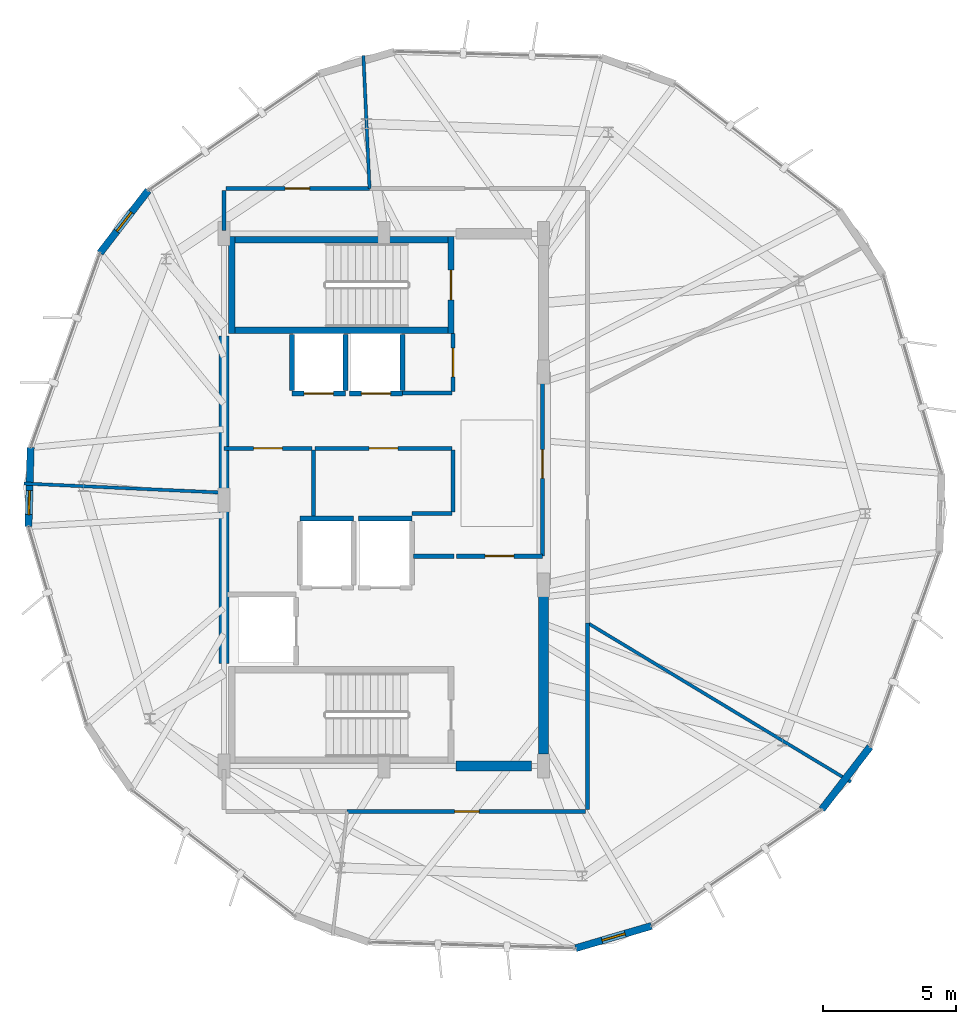
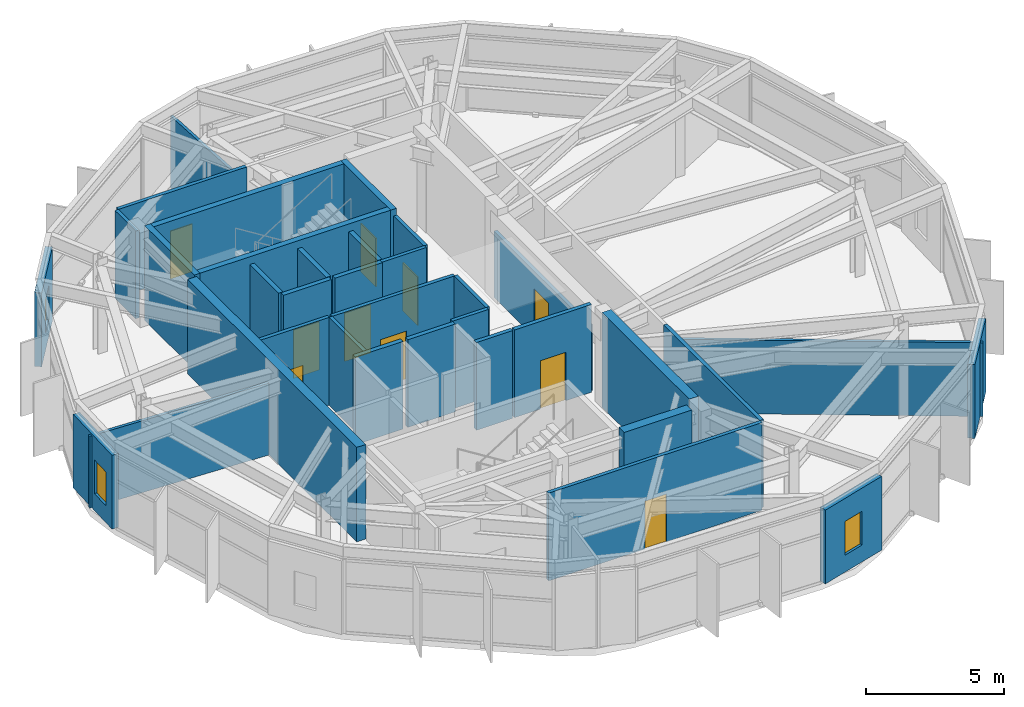
# One storey, part 16 of 20: 35 walls, 10 doors, 3 windows, 13 openings.
"""IFC4 building model written with IfcOpenShell, lengths in metres."""

from ifc_helpers import new_model, si_unit, direction, frame, frame_2d, origin, place, context, subcontext, project, spatial, rectangle, extrude, material, layer, layer_set, type_object, element, fill, save


model = new_model("IFC4")

# Units and contexts
model_context = context("Model", 3, precision=1e-05, world=origin(), true_north=direction((0.0, 1.0)))
body_context = subcontext(model_context, "Body", "Model", "MODEL_VIEW")
ifc_project = project(units=[si_unit("LENGTHUNIT", "METRE"), si_unit("AREAUNIT", "SQUARE_METRE"), si_unit("VOLUMEUNIT", "CUBIC_METRE"), si_unit("PLANEANGLEUNIT", "RADIAN"), si_unit("MASSUNIT", "GRAM", prefix="KILO")], contexts=[model_context])

# Site, building, storey
site_placement = place(None, origin())
site = spatial("IfcSite", under=ifc_project, at=site_placement, CompositionType="ELEMENT")
building_placement = place(site_placement, origin())
building = spatial("IfcBuilding", under=site, at=building_placement, Name="Soratama Intermodal Tower", CompositionType="ELEMENT")
storey_placement = place(building_placement, frame((0.0, 0.0, 293.050048828125)))
storey = spatial("IfcBuildingStorey", under=building, at=storey_placement, Name="L74", CompositionType="ELEMENT", Elevation=293.050048828125)

# Wall, opening, window
ifc_material_1 = material(Name="Concrete f'c 42 MPa", Category="concrete")
ifc_layer_1 = layer(ifc_material_1, 0.27001953125)
ifc_layer_set_1 = layer_set([ifc_layer_1], Name="Concrete f'c 42 MPa")
wall_type_1 = type_object("IfcWallType", Name="EW-CRN-270", PredefinedType="SOLIDWALL", material=ifc_layer_set_1)
wall_1_placement = place(storey_placement, frame((29.74658203125, 36.6240234375, 0.0), z_axis=(0.0, 0.0, 1.0), x_axis=(-0.61043041825, -0.792069886105, 0.0)))
wall_1 = element("IfcWall", 1, at=wall_1_placement, inside=storey, type_object=wall_type_1, Name="L74 Corner Closure Wall 02", PredefinedType="SOLIDWALL", context=body_context, shape_type="SweptSolid", body=[
    extrude(rectangle(XDim=2.96630859375, YDim=0.27001953125, at=frame_2d((1.483154296875, 0.0))), origin(), (0.0, 0.0, 1.0), 3.27392578125),
])
opening_1_placement = place(wall_1_placement, frame((1.033203125, 0.0, 0.75)))
opening_1 = element("IfcOpeningElement", 2, at=opening_1_placement, cuts=wall_1, Name="Opening WN-6", PredefinedType="OPENING", context=body_context, shape_type="SweptSolid", body=[
    extrude(rectangle(XDim=0.89990234375, YDim=1.5, at=frame_2d((0.449951171875, 0.75))), frame((0.0, 0.14501953125, 0.0), z_axis=(0.0, -1.0, 0.0), x_axis=(1.0, 0.0, 0.0)), (0.0, 0.0, 1.0), 0.2900390625),
])
ifc_material_2 = material(Name="Double-glazed aluminium window", Category="aluminium")
window_type = type_object("IfcWindowType", Name="WN-FAC-900", PartitioningType="SINGLE_PANEL", PredefinedType="WINDOW", material=ifc_material_2)
window_1_placement = place(opening_1_placement, origin())
window_1 = element("IfcWindow", 3, at=window_1_placement, inside=storey, type_object=window_type, Name="L74 Corner Window 02", OverallHeight=1.5, OverallWidth=0.89990234375, PartitioningType="SINGLE_PANEL", PredefinedType="WINDOW", context=body_context, shape_type="SweptSolid", body=[
    extrude(rectangle(XDim=0.89990234375, YDim=1.5, at=frame_2d((0.449951171875, 0.75))), frame((0.0, 0.030029296875, 0.0), z_axis=(0.0, -1.0, 0.0), x_axis=(1.0, 0.0, 0.0)), (0.0, 0.0, 1.0), 0.06005859375),
])
fill(opening_1, window_1)

wall_2_placement = place(storey_placement, frame((25.330810546875, 26.966552734375, 0.0), z_axis=(0.0, 0.0, 1.0), x_axis=(-0.028310729032, -0.999599170979, 0.0)))
wall_2 = element("IfcWall", 4, at=wall_2_placement, inside=storey, type_object=wall_type_1, Name="L74 Corner Closure Wall 03", PredefinedType="SOLIDWALL", context=body_context, shape_type="SweptSolid", body=[
    extrude(rectangle(XDim=2.966552734375, YDim=0.27001953125, at=frame_2d((1.4833984375, 0.0))), origin(), (0.0, 0.0, 1.0), 3.27392578125),
])
opening_2_placement = place(wall_2_placement, frame((1.61669921875, 0.0, 0.75)))
opening_2 = element("IfcOpeningElement", 5, at=opening_2_placement, cuts=wall_2, Name="Opening WN-6", PredefinedType="OPENING", context=body_context, shape_type="SweptSolid", body=[
    extrude(rectangle(XDim=0.89990234375, YDim=1.5, at=frame_2d((0.449951171875, 0.75))), frame((0.0, 0.14501953125, 0.0), z_axis=(0.0, -1.0, 0.0), x_axis=(1.0, 0.0, 0.0)), (0.0, 0.0, 1.0), 0.2900390625),
])
window_2_placement = place(opening_2_placement, origin())
window_2 = element("IfcWindow", 6, at=window_2_placement, inside=storey, type_object=window_type, Name="L74 Corner Window 03", OverallHeight=1.5, OverallWidth=0.89990234375, PartitioningType="SINGLE_PANEL", PredefinedType="WINDOW", context=body_context, shape_type="SweptSolid", body=[
    extrude(rectangle(XDim=0.89990234375, YDim=1.5, at=frame_2d((0.449951171875, 0.75))), frame((0.0, 0.030029296875, 0.0), z_axis=(0.0, -1.0, 0.0), x_axis=(1.0, 0.0, 0.0)), (0.0, 0.0, 1.0), 0.06005859375),
])
fill(opening_2, window_2)

wall_3_placement = place(storey_placement, frame((45.80419921875, 8.158447265625, 0.0), z_axis=(0.0, 0.0, 1.0), x_axis=(0.959406115423, 0.282028200168, 0.0)))
wall_3 = element("IfcWall", 7, at=wall_3_placement, inside=storey, type_object=wall_type_1, Name="L74 Corner Closure Wall 06", PredefinedType="SOLIDWALL", context=body_context, shape_type="SweptSolid", body=[
    extrude(rectangle(XDim=2.966552734375, YDim=0.27001953125, at=frame_2d((1.4833984375, 0.0))), origin(), (0.0, 0.0, 1.0), 3.27392578125),
])
opening_3_placement = place(wall_3_placement, frame((1.033203125, 0.0, 0.75)))
opening_3 = element("IfcOpeningElement", 8, at=opening_3_placement, cuts=wall_3, Name="Opening WN-6", PredefinedType="OPENING", context=body_context, shape_type="SweptSolid", body=[
    extrude(rectangle(XDim=0.89990234375, YDim=1.5, at=frame_2d((0.449951171875, 0.75))), frame((0.0, 0.14501953125, 0.0), z_axis=(0.0, -1.0, 0.0), x_axis=(1.0, 0.0, 0.0)), (0.0, 0.0, 1.0), 0.2900390625),
])
window_3_placement = place(opening_3_placement, origin())
window_3 = element("IfcWindow", 9, at=window_3_placement, inside=storey, type_object=window_type, Name="L74 Corner Window 06", OverallHeight=1.5, OverallWidth=0.89990234375, PartitioningType="SINGLE_PANEL", PredefinedType="WINDOW", context=body_context, shape_type="SweptSolid", body=[
    extrude(rectangle(XDim=0.89990234375, YDim=1.5, at=frame_2d((0.449951171875, 0.75))), frame((0.0, 0.030029296875, 0.0), z_axis=(0.0, -1.0, 0.0), x_axis=(1.0, 0.0, 0.0)), (0.0, 0.0, 1.0), 0.06005859375),
])
fill(opening_3, window_3)

# Wall
wall_4_placement = place(storey_placement, frame((55.053466796875, 13.3759765625, 0.0), z_axis=(0.0, 0.0, 1.0), x_axis=(0.61043041825, 0.792069886105, 0.0)))
element("IfcWall", 10, at=wall_4_placement, inside=storey, type_object=wall_type_1, Name="L74 Corner Closure Wall 07", PredefinedType="SOLIDWALL", context=body_context, shape_type="SweptSolid", body=[
    extrude(rectangle(XDim=2.96630859375, YDim=0.27001953125, at=frame_2d((1.483154296875, 0.0))), origin(), (0.0, 0.0, 1.0), 3.27392578125),
])

# Wall, opening, door
ifc_material_3 = material(Name="Fire-rated gypsum stud partition", Category="concrete")
ifc_layer_2 = layer(ifc_material_3, 0.14990234375)
ifc_layer_set_2 = layer_set([ifc_layer_2], Name="Fire-rated gypsum stud partition")
wall_type_2 = type_object("IfcWallType", Name="IW-PART-R150", PredefinedType="PARTITIONING", material=ifc_layer_set_2)
wall_5_placement = place(storey_placement, frame((46.179931640625, 13.300048828125, 0.0), z_axis=(0.0, 0.0, 1.0), x_axis=(-1.0, 0.0, 0.0)))
wall_5 = element("IfcWall", 11, at=wall_5_placement, inside=storey, type_object=wall_type_2, Name="L74 Partition W-L74-TP003", PredefinedType="PARTITIONING", context=body_context, shape_type="SweptSolid", body=[
    extrude(rectangle(XDim=8.958984375, YDim=0.14990234375, at=frame_2d((4.4794921875, 0.0))), origin(), (0.0, 0.0, 1.0), 3.89501953125),
])
opening_4_placement = place(wall_5_placement, frame((4.0048828125, 0.0, 0.0)))
opening_4 = element("IfcOpeningElement", 12, at=opening_4_placement, cuts=wall_5, Name="Opening ID-6", PredefinedType="OPENING", context=body_context, shape_type="SweptSolid", body=[
    extrude(rectangle(XDim=0.919921875, YDim=2.1201171875, at=frame_2d((0.4599609375, 1.06005859375))), frame((0.0, 0.0849609375, 0.0), z_axis=(0.0, -1.0, 0.0), x_axis=(1.0, 0.0, 0.0)), (0.0, 0.0, 1.0), 0.169921875),
])
ifc_material_4 = material(Name="Solid hardwood acoustic door", Category="wood")
door_type_1 = type_object("IfcDoorType", Name="DR-ROOM-920", OperationType="NOTDEFINED", PredefinedType="DOOR", material=ifc_material_4)
door_1_placement = place(opening_4_placement, origin())
door_1 = element("IfcDoor", 13, at=door_1_placement, inside=storey, type_object=door_type_1, Name="L74 Door D-L74-TP001", OperationType="SINGLE_SWING_RIGHT", OverallHeight=2.1201171875, OverallWidth=0.919921875, PredefinedType="DOOR", context=body_context, shape_type="SweptSolid", body=[
    extrude(rectangle(XDim=0.919921875, YDim=2.1201171875, at=frame_2d((0.4599609375, 1.06005859375))), frame((0.0, 0.02490234375, 0.0), z_axis=(0.0, -1.0, 0.0), x_axis=(1.0, 0.0, 0.0)), (0.0, 0.0, 1.0), 0.050048828125),
])
fill(opening_4, door_1)

# Wall
wall_6_placement = place(storey_placement, frame((46.25, 20.37890625, 0.0), z_axis=(0.0, 0.0, 1.0), x_axis=(0.0, -1.0, 0.0)))
element("IfcWall", 14, at=wall_6_placement, inside=storey, type_object=wall_type_2, Name="L74 Partition W-L74-TP008", PredefinedType="PARTITIONING", context=body_context, shape_type="SweptSolid", body=[
    extrude(rectangle(XDim=7.0087890625, YDim=0.14990234375, at=frame_2d((3.50439453125, 0.0))), origin(), (0.0, 0.0, 1.0), 3.89501953125),
])

# Wall, opening, door
wall_7_placement = place(storey_placement, frame((44.56005859375, 29.800048828125, 0.0), z_axis=(0.0, 0.0, 1.0), x_axis=(0.0, -1.0, 0.0)))
wall_7 = element("IfcWall", 15, at=wall_7_placement, inside=storey, type_object=wall_type_2, Name="L74 Partition W-L74-TP009", PredefinedType="PARTITIONING", context=body_context, shape_type="SweptSolid", body=[
    extrude(rectangle(XDim=6.91015625, YDim=0.14990234375, at=frame_2d((3.455078125, 0.0))), origin(), (0.0, 0.0, 1.0), 2.93505859375),
])
opening_5_placement = place(wall_7_placement, frame((2.9150390625, 0.0, 0.0)))
opening_5 = element("IfcOpeningElement", 16, at=opening_5_placement, cuts=wall_7, Name="Opening ID-1", PredefinedType="OPENING", context=body_context, shape_type="SweptSolid", body=[
    extrude(rectangle(XDim=1.080078125, YDim=2.14990234375, at=frame_2d((0.5400390625, 1.074951171875))), frame((0.0, 0.0849609375, 0.0), z_axis=(0.0, -1.0, 0.0), x_axis=(1.0, 0.0, 0.0)), (0.0, 0.0, 1.0), 0.169921875),
])
ifc_material_5 = material(Name="Solid hardwood acoustic door", Category="wood")
door_type_2 = type_object("IfcDoorType", Name="DR-LOB-FD60", OperationType="NOTDEFINED", PredefinedType="DOOR", material=ifc_material_5)
door_2_placement = place(opening_5_placement, origin())
door_2 = element("IfcDoor", 17, at=door_2_placement, inside=storey, type_object=door_type_2, Name="L74 Door D-L74-TP004", OperationType="SINGLE_SWING_LEFT", OverallHeight=2.14990234375, OverallWidth=1.080078125, PredefinedType="DOOR", context=body_context, shape_type="SweptSolid", body=[
    extrude(rectangle(XDim=1.080078125, YDim=2.14990234375, at=frame_2d((0.5400390625, 1.074951171875))), frame((0.0, 0.02490234375, 0.0), z_axis=(0.0, -1.0, 0.0), x_axis=(1.0, 0.0, 0.0)), (0.0, 0.0, 1.0), 0.050048828125),
])
fill(opening_5, door_2)

wall_8_placement = place(storey_placement, frame((32.669921875, 36.699951171875, 0.0), z_axis=(0.0, 0.0, 1.0), x_axis=(1.0, 0.0, 0.0)))
wall_8 = element("IfcWall", 18, at=wall_8_placement, inside=storey, type_object=wall_type_2, Name="L74 Partition W-L74-TP010", PredefinedType="PARTITIONING", context=body_context, shape_type="SweptSolid", body=[
    extrude(rectangle(XDim=5.39013671875, YDim=0.14990234375, at=frame_2d((2.695068359375, 0.0))), origin(), (0.0, 0.0, 1.0), 3.89501953125),
])
opening_6_placement = place(wall_8_placement, frame((2.219970703125, 0.0, 0.0)))
opening_6 = element("IfcOpeningElement", 19, at=opening_6_placement, cuts=wall_8, Name="Opening ID-6", PredefinedType="OPENING", context=body_context, shape_type="SweptSolid", body=[
    extrude(rectangle(XDim=0.919921875, YDim=2.1201171875, at=frame_2d((0.4599609375, 1.06005859375))), frame((0.0, 0.0849609375, 0.0), z_axis=(0.0, -1.0, 0.0), x_axis=(1.0, 0.0, 0.0)), (0.0, 0.0, 1.0), 0.169921875),
])
door_3_placement = place(opening_6_placement, origin())
door_3 = element("IfcDoor", 20, at=door_3_placement, inside=storey, type_object=door_type_1, Name="L74 Door D-L74-TP005", OperationType="SINGLE_SWING_RIGHT", OverallHeight=2.1201171875, OverallWidth=0.919921875, PredefinedType="DOOR", context=body_context, shape_type="SweptSolid", body=[
    extrude(rectangle(XDim=0.919921875, YDim=2.1201171875, at=frame_2d((0.4599609375, 1.06005859375))), frame((0.0, 0.02490234375, 0.0), z_axis=(0.0, -1.0, 0.0), x_axis=(1.0, 0.0, 0.0)), (0.0, 0.0, 1.0), 0.050048828125),
])
fill(opening_6, door_3)

wall_9_placement = place(storey_placement, frame((41.159912109375, 26.93994140625, 0.0), z_axis=(0.0, 0.0, 1.0), x_axis=(-1.0, 0.0, 0.0)))
wall_9 = element("IfcWall", 21, at=wall_9_placement, inside=storey, type_object=wall_type_2, Name="L74 Partition W-L74-TP011", PredefinedType="PARTITIONING", context=body_context, shape_type="SweptSolid", body=[
    extrude(rectangle(XDim=5.14990234375, YDim=0.14990234375, at=frame_2d((2.574951171875, 0.0))), origin(), (0.0, 0.0, 1.0), 3.89501953125),
])
opening_7_placement = place(wall_9_placement, frame((2.034912109375, 0.0, 0.0)))
opening_7 = element("IfcOpeningElement", 22, at=opening_7_placement, cuts=wall_9, Name="Opening ID-1", PredefinedType="OPENING", context=body_context, shape_type="SweptSolid", body=[
    extrude(rectangle(XDim=1.080078125, YDim=2.14990234375, at=frame_2d((0.5400390625, 1.074951171875))), frame((0.0, 0.0849609375, 0.0), z_axis=(0.0, -1.0, 0.0), x_axis=(1.0, 0.0, 0.0)), (0.0, 0.0, 1.0), 0.169921875),
])
door_4_placement = place(opening_7_placement, origin())
door_4 = element("IfcDoor", 23, at=door_4_placement, inside=storey, type_object=door_type_2, Name="L74 Door D-L74-TP006", OperationType="SINGLE_SWING_LEFT", OverallHeight=2.14990234375, OverallWidth=1.080078125, PredefinedType="DOOR", context=body_context, shape_type="SweptSolid", body=[
    extrude(rectangle(XDim=1.080078125, YDim=2.14990234375, at=frame_2d((0.5400390625, 1.074951171875))), frame((0.0, 0.02490234375, 0.0), z_axis=(0.0, -1.0, 0.0), x_axis=(1.0, 0.0, 0.0)), (0.0, 0.0, 1.0), 0.050048828125),
])
fill(opening_7, door_4)

wall_10_placement = place(storey_placement, frame((35.889892578125, 26.93994140625, 0.0), z_axis=(0.0, 0.0, 1.0), x_axis=(-1.0, 0.0, 0.0)))
wall_10 = element("IfcWall", 24, at=wall_10_placement, inside=storey, type_object=wall_type_2, Name="L74 Partition W-L74-TP015", PredefinedType="PARTITIONING", context=body_context, shape_type="SweptSolid", body=[
    extrude(rectangle(XDim=3.289794921875, YDim=0.14990234375, at=frame_2d((1.64501953125, 0.0))), origin(), (0.0, 0.0, 1.0), 3.89501953125),
])
opening_8_placement = place(wall_10_placement, frame((1.10498046875, 0.0, 0.0)))
opening_8 = element("IfcOpeningElement", 25, at=opening_8_placement, cuts=wall_10, Name="Opening ID-1", PredefinedType="OPENING", context=body_context, shape_type="SweptSolid", body=[
    extrude(rectangle(XDim=1.080078125, YDim=2.14990234375, at=frame_2d((0.5400390625, 1.074951171875))), frame((0.0, 0.0849609375, 0.0), z_axis=(0.0, -1.0, 0.0), x_axis=(1.0, 0.0, 0.0)), (0.0, 0.0, 1.0), 0.169921875),
])
door_5_placement = place(opening_8_placement, origin())
door_5 = element("IfcDoor", 26, at=door_5_placement, inside=storey, type_object=door_type_2, Name="L74 Door D-L74-TP008", OperationType="SINGLE_SWING_LEFT", OverallHeight=2.14990234375, OverallWidth=1.080078125, PredefinedType="DOOR", context=body_context, shape_type="SweptSolid", body=[
    extrude(rectangle(XDim=1.080078125, YDim=2.14990234375, at=frame_2d((0.5400390625, 1.074951171875))), frame((0.0, 0.02490234375, 0.0), z_axis=(0.0, -1.0, 0.0), x_axis=(1.0, 0.0, 0.0)), (0.0, 0.0, 1.0), 0.050048828125),
])
fill(opening_8, door_5)

# Walls
wall_11_placement = place(storey_placement, frame((35.949951171875, 26.8798828125, 0.0), z_axis=(0.0, 0.0, 1.0), x_axis=(0.0, -1.0, 0.0)))
element("IfcWall", 27, at=wall_11_placement, inside=storey, type_object=wall_type_2, Name="L74 Partition W-L74-TP017", PredefinedType="PARTITIONING", context=body_context, shape_type="SweptSolid", body=[
    extrude(rectangle(XDim=2.579833984375, YDim=0.14990234375, at=frame_2d((1.2900390625, 0.0))), origin(), (0.0, 0.0, 1.0), 3.89501953125),
])
wall_12_placement = place(storey_placement, frame((41.199951171875, 24.550048828125, 0.0), z_axis=(0.0, 0.0, 1.0), x_axis=(0.0, 1.0, 0.0)))
element("IfcWall", 28, at=wall_12_placement, inside=storey, type_object=wall_type_2, Name="L74 Partition W-L74-TP018", PredefinedType="PARTITIONING", context=body_context, shape_type="SweptSolid", body=[
    extrude(rectangle(XDim=2.329833984375, YDim=0.14990234375, at=frame_2d((1.1650390625, 0.0))), origin(), (0.0, 0.0, 1.0), 3.89501953125),
])

# Wall, opening, door
wall_13_placement = place(storey_placement, frame((41.199951171875, 29.070068359375, 0.0), z_axis=(0.0, 0.0, 1.0), x_axis=(0.0, 1.0, 0.0)))
wall_13 = element("IfcWall", 29, at=wall_13_placement, inside=storey, type_object=wall_type_2, Name="L74 Partition W-L74-TP019", PredefinedType="PARTITIONING", context=body_context, shape_type="SweptSolid", body=[
    extrude(rectangle(XDim=2.18994140625, YDim=0.14990234375, at=frame_2d((1.094970703125, 0.0))), origin(), (0.0, 0.0, 1.0), 3.89501953125),
])
opening_9_placement = place(wall_13_placement, frame((0.554931640625, 0.0, 0.0)))
opening_9 = element("IfcOpeningElement", 30, at=opening_9_placement, cuts=wall_13, Name="Opening ID-1", PredefinedType="OPENING", context=body_context, shape_type="SweptSolid", body=[
    extrude(rectangle(XDim=1.080078125, YDim=2.14990234375, at=frame_2d((0.5400390625, 1.074951171875))), frame((0.0, 0.0849609375, 0.0), z_axis=(0.0, -1.0, 0.0), x_axis=(1.0, 0.0, 0.0)), (0.0, 0.0, 1.0), 0.169921875),
])
door_6_placement = place(opening_9_placement, origin())
door_6 = element("IfcDoor", 31, at=door_6_placement, inside=storey, type_object=door_type_2, Name="L74 Door D-L74-TP010", OperationType="SINGLE_SWING_LEFT", OverallHeight=2.14990234375, OverallWidth=1.080078125, PredefinedType="DOOR", context=body_context, shape_type="SweptSolid", body=[
    extrude(rectangle(XDim=1.080078125, YDim=2.14990234375, at=frame_2d((0.5400390625, 1.074951171875))), frame((0.0, 0.02490234375, 0.0), z_axis=(0.0, -1.0, 0.0), x_axis=(1.0, 0.0, 0.0)), (0.0, 0.0, 1.0), 0.050048828125),
])
fill(opening_9, door_6)

# Walls
wall_14_placement = place(storey_placement, frame((39.300048828125, 29.010009765625, 0.0), z_axis=(0.0, 0.0, 1.0), x_axis=(1.0, 0.0, 0.0)))
element("IfcWall", 32, at=wall_14_placement, inside=storey, type_object=wall_type_2, Name="L74 Partition W-L74-TP020", PredefinedType="PARTITIONING", context=body_context, shape_type="SweptSolid", body=[
    extrude(rectangle(XDim=1.85986328125, YDim=0.14990234375, at=frame_2d((0.929931640625, 0.0))), origin(), (0.0, 0.0, 1.0), 3.89501953125),
])
wall_15_placement = place(storey_placement, frame((32.60009765625, 35.1201171875, 0.0), z_axis=(0.0, 0.0, 1.0), x_axis=(0.0, 1.0, 0.0)))
element("IfcWall", 33, at=wall_15_placement, inside=storey, type_object=wall_type_2, Name="L74 Partition W-L74-TP022", PredefinedType="PARTITIONING", context=body_context, shape_type="SweptSolid", body=[
    extrude(rectangle(XDim=1.509765625, YDim=0.14990234375, at=frame_2d((0.7548828125, 0.0))), origin(), (0.0, 0.0, 1.0), 3.89501953125),
])
wall_16_placement = place(storey_placement, frame((39.64990234375, 24.485107421875, 0.0), z_axis=(0.0, 0.0, 1.0), x_axis=(1.0, 0.0, 0.0)))
element("IfcWall", 34, at=wall_16_placement, inside=storey, type_object=wall_type_2, Name="L74 Partition W-L74-TP024", PredefinedType="PARTITIONING", context=body_context, shape_type="SweptSolid", body=[
    extrude(rectangle(XDim=1.510009765625, YDim=0.14990234375, at=frame_2d((0.7548828125, 0.0))), origin(), (0.0, 0.0, 1.0), 3.89501953125),
])

# Wall, opening, door
ifc_material_6 = material(Name="Fire-rated gypsum stud partition", Category="concrete")
ifc_layer_3 = layer(ifc_material_6, 0.169921875)
ifc_layer_set_3 = layer_set([ifc_layer_3], Name="Fire-rated gypsum stud partition")
wall_type_3 = type_object("IfcWallType", Name="IW-PART-R170", PredefinedType="PARTITIONING", material=ifc_layer_set_3)
wall_17_placement = place(storey_placement, frame((41.320068359375, 22.889892578125, 0.0), z_axis=(0.0, 0.0, 1.0), x_axis=(1.0, 0.0, 0.0)))
wall_17 = element("IfcWall", 35, at=wall_17_placement, inside=storey, type_object=wall_type_3, Name="L74 Partition W-L74-TP016", PredefinedType="PARTITIONING", context=body_context, shape_type="SweptSolid", body=[
    extrude(rectangle(XDim=3.239990234375, YDim=0.169921875, at=frame_2d((1.6201171875, 0.0))), origin(), (0.0, 0.0, 1.0), 3.89501953125),
])
opening_10_placement = place(wall_17_placement, frame((1.080078125, 0.0, 0.0)))
opening_10 = element("IfcOpeningElement", 36, at=opening_10_placement, cuts=wall_17, Name="Opening ID-0", PredefinedType="OPENING", context=body_context, shape_type="SweptSolid", body=[
    extrude(rectangle(XDim=1.080078125, YDim=2.14990234375, at=frame_2d((0.5400390625, 1.074951171875))), frame((0.0, 0.094970703125, 0.0), z_axis=(0.0, -1.0, 0.0), x_axis=(1.0, 0.0, 0.0)), (0.0, 0.0, 1.0), 0.18994140625),
])
ifc_material_7 = material(Name="Solid hardwood acoustic door", Category="wood")
door_type_3 = type_object("IfcDoorType", Name="DR-LOB-FD90", OperationType="NOTDEFINED", PredefinedType="DOOR", material=ifc_material_7)
door_7_placement = place(opening_10_placement, origin())
door_7 = element("IfcDoor", 37, at=door_7_placement, inside=storey, type_object=door_type_3, Name="L74 Door D-L74-TP009", OperationType="SINGLE_SWING_RIGHT", OverallHeight=2.14990234375, OverallWidth=1.080078125, PredefinedType="DOOR", context=body_context, shape_type="SweptSolid", body=[
    extrude(rectangle(XDim=1.080078125, YDim=2.14990234375, at=frame_2d((0.5400390625, 1.074951171875))), frame((0.0, 0.02490234375, 0.0), z_axis=(0.0, -1.0, 0.0), x_axis=(1.0, 0.0, 0.0)), (0.0, 0.0, 1.0), 0.050048828125),
])
fill(opening_10, door_7)

# Walls
wall_18_placement = place(storey_placement, frame((39.719970703125, 22.889892578125, 0.0), z_axis=(0.0, 0.0, 1.0), x_axis=(1.0, 0.0, 0.0)))
element("IfcWall", 38, at=wall_18_placement, inside=storey, type_object=wall_type_3, Name="L74 Partition W-L74-TP021", PredefinedType="PARTITIONING", context=body_context, shape_type="SweptSolid", body=[
    extrude(rectangle(XDim=1.52001953125, YDim=0.169921875, at=frame_2d((0.760009765625, 0.0))), origin(), (0.0, 0.0, 1.0), 3.89501953125),
])
ifc_material_8 = material(Name="Fire-rated gypsum stud partition", Category="concrete")
ifc_layer_4 = layer(ifc_material_8, 0.1201171875)
ifc_layer_set_4 = layer_set([ifc_layer_4], Name="Fire-rated gypsum stud partition")
wall_type_4 = type_object("IfcWallType", Name="IW-PART-S120", PredefinedType="PARTITIONING", material=ifc_layer_set_4)
wall_19_placement = place(storey_placement, frame((46.25, 20.37890625, 0.0), z_axis=(0.0, 0.0, 1.0), x_axis=(0.856014879115, -0.516951184092, 0.0)))
element("IfcWall", 39, at=wall_19_placement, inside=storey, type_object=wall_type_4, Name="L74 Partition W-L74-TP002", PredefinedType="PARTITIONING", context=body_context, shape_type="SweptSolid", body=[
    extrude(rectangle(XDim=11.555908203125, YDim=0.1201171875, at=frame_2d((5.77783203125, 0.0))), origin(), (0.0, 0.0, 1.0), 3.27294921875),
])
wall_20_placement = place(storey_placement, frame((32.527099609375, 25.27587890625, 0.0), z_axis=(0.0, 0.0, 1.0), x_axis=(-0.998965703411, 0.045470027593, 0.0)))
element("IfcWall", 40, at=wall_20_placement, inside=storey, type_object=wall_type_4, Name="L74 Partition W-L74-TP007", PredefinedType="PARTITIONING", context=body_context, shape_type="SweptSolid", body=[
    extrude(rectangle(XDim=7.4580078125, YDim=0.1201171875, at=frame_2d((3.72900390625, 0.0))), origin(), (0.0, 0.0, 1.0), 3.18994140625),
])
wall_21_placement = place(storey_placement, frame((38.06005859375, 36.699951171875, 0.0), z_axis=(0.0, 0.0, 1.0), x_axis=(-0.046225541885, 0.998931028288, 0.0)))
element("IfcWall", 41, at=wall_21_placement, inside=storey, type_object=wall_type_4, Name="L74 Partition W-L74-TP012", PredefinedType="PARTITIONING", context=body_context, shape_type="SweptSolid", body=[
    extrude(rectangle(XDim=4.996337890625, YDim=0.1201171875, at=frame_2d((2.498046875, 0.0))), origin(), (0.0, 0.0, 1.0), 3.18994140625),
])
ifc_material_9 = material(Name="Concrete f'c 42 MPa", Category="concrete")
ifc_layer_5 = layer(ifc_material_9, 0.18505859375)
ifc_layer_set_5 = layer_set([ifc_layer_5], Name="Concrete f'c 42 MPa")
wall_type_5 = type_object("IfcWallType", Name="IW-SHAFT-185", PredefinedType="SOLIDWALL", material=ifc_layer_set_5)
for number, where, z_axis, x_axis, name in (
    (42, (35.449951171875, 24.300048828125, 0.0), (0.0, 0.0, 1.0), (1.0, 0.0, 0.0), "L74 FFL-1 Hoistway Wall N"),
    (43, (37.64990234375, 24.300048828125, 0.0), (0.0, 0.0, 1.0), (1.0, 0.0, 0.0), "L74 FFL-2 Hoistway Wall N"),
):
    element("IfcWall", number, at=place(storey_placement, frame(where, z_axis=z_axis, x_axis=x_axis)), inside=storey, type_object=wall_type_5, Name=name, PredefinedType="SOLIDWALL", context=body_context, shape_type="SweptSolid", body=[
        extrude(rectangle(XDim=2.0, YDim=0.18505859375, at=frame_2d((1.0, 0.0))), origin(), (0.0, 0.0, 1.0), 3.89501953125),
    ])

# Wall, opening, door
wall_22_placement = place(storey_placement, frame((35.14990234375, 29.0, 0.0), z_axis=(0.0, 0.0, 1.0), x_axis=(1.0, 0.0, 0.0)))
wall_22 = element("IfcWall", 44, at=wall_22_placement, inside=storey, type_object=wall_type_5, Name="L74 PL-H1 Hoistway Wall S", PredefinedType="SOLIDWALL", context=body_context, shape_type="SweptSolid", body=[
    extrude(rectangle(XDim=2.0, YDim=0.18505859375, at=frame_2d((1.0, 0.0))), origin(), (0.0, 0.0, 1.0), 3.89501953125),
])
opening_11_placement = place(wall_22_placement, frame((0.449951171875, 0.0, 0.0)))
opening_11 = element("IfcOpeningElement", 45, at=opening_11_placement, cuts=wall_22, Name="Opening LD-1", PredefinedType="OPENING", context=body_context, shape_type="SweptSolid", body=[
    extrude(rectangle(XDim=1.10009765625, YDim=2.14990234375, at=frame_2d((0.550048828125, 1.074951171875))), frame((0.0, 0.1025390625, 0.0), z_axis=(0.0, -1.0, 0.0), x_axis=(1.0, 0.0, 0.0)), (0.0, 0.0, 1.0), 0.205078125),
])
ifc_material_10 = material(Name="Steel fire door", Category="steel")
door_type_4 = type_object("IfcDoorType", Name="DR-LIFT-SLIDE", OperationType="NOTDEFINED", PredefinedType="DOOR", material=ifc_material_10)
door_8_placement = place(opening_11_placement, origin())
door_8 = element("IfcDoor", 46, at=door_8_placement, inside=storey, type_object=door_type_4, Name="L74 PL-H1 Sliding Landing Door", OperationType="SLIDING_TO_LEFT", OverallHeight=2.14990234375, OverallWidth=1.10009765625, PredefinedType="DOOR", context=body_context, shape_type="SweptSolid", body=[
    extrude(rectangle(XDim=1.10009765625, YDim=2.14990234375, at=frame_2d((0.550048828125, 1.074951171875))), frame((0.0, 0.02490234375, 0.0), z_axis=(0.0, -1.0, 0.0), x_axis=(1.0, 0.0, 0.0)), (0.0, 0.0, 1.0), 0.050048828125),
])
fill(opening_11, door_8)

# Walls
for number, where, z_axis, x_axis, name in (
    (47, (35.14990234375, 29.110107421875, 0.0), (0.0, 0.0, 1.0), (0.0, 1.0, 0.0), "L74 PL-H1 Hoistway Wall W"),
    (48, (37.14990234375, 29.110107421875, 0.0), (0.0, 0.0, 1.0), (0.0, 1.0, 0.0), "L74 PL-H1 Hoistway Wall E"),
):
    element("IfcWall", number, at=place(storey_placement, frame(where, z_axis=z_axis, x_axis=x_axis)), inside=storey, type_object=wall_type_5, Name=name, PredefinedType="SOLIDWALL", context=body_context, shape_type="SweptSolid", body=[
        extrude(rectangle(XDim=2.099853515625, YDim=0.18505859375, at=frame_2d((1.0498046875, 0.0))), origin(), (0.0, 0.0, 1.0), 3.89501953125),
    ])

# Wall, opening, door
wall_23_placement = place(storey_placement, frame((37.300048828125, 29.0, 0.0), z_axis=(0.0, 0.0, 1.0), x_axis=(1.0, 0.0, 0.0)))
wall_23 = element("IfcWall", 49, at=wall_23_placement, inside=storey, type_object=wall_type_5, Name="L74 PL-H2 Hoistway Wall S", PredefinedType="SOLIDWALL", context=body_context, shape_type="SweptSolid", body=[
    extrude(rectangle(XDim=2.0, YDim=0.18505859375, at=frame_2d((1.0, 0.0))), origin(), (0.0, 0.0, 1.0), 3.89501953125),
])
opening_12_placement = place(wall_23_placement, frame((0.449951171875, 0.0, 0.0)))
opening_12 = element("IfcOpeningElement", 50, at=opening_12_placement, cuts=wall_23, Name="Opening LD-1", PredefinedType="OPENING", context=body_context, shape_type="SweptSolid", body=[
    extrude(rectangle(XDim=1.10009765625, YDim=2.14990234375, at=frame_2d((0.550048828125, 1.074951171875))), frame((0.0, 0.1025390625, 0.0), z_axis=(0.0, -1.0, 0.0), x_axis=(1.0, 0.0, 0.0)), (0.0, 0.0, 1.0), 0.205078125),
])
door_9_placement = place(opening_12_placement, origin())
door_9 = element("IfcDoor", 51, at=door_9_placement, inside=storey, type_object=door_type_4, Name="L74 PL-H2 Sliding Landing Door", OperationType="SLIDING_TO_LEFT", OverallHeight=2.14990234375, OverallWidth=1.10009765625, PredefinedType="DOOR", context=body_context, shape_type="SweptSolid", body=[
    extrude(rectangle(XDim=1.10009765625, YDim=2.14990234375, at=frame_2d((0.550048828125, 1.074951171875))), frame((0.0, 0.02490234375, 0.0), z_axis=(0.0, -1.0, 0.0), x_axis=(1.0, 0.0, 0.0)), (0.0, 0.0, 1.0), 0.050048828125),
])
fill(opening_12, door_9)

# Walls
wall_24_placement = place(storey_placement, frame((39.300048828125, 29.110107421875, 0.0), z_axis=(0.0, 0.0, 1.0), x_axis=(0.0, 1.0, 0.0)))
element("IfcWall", 52, at=wall_24_placement, inside=storey, type_object=wall_type_5, Name="L74 PL-H2 Hoistway Wall E", PredefinedType="SOLIDWALL", context=body_context, shape_type="SweptSolid", body=[
    extrude(rectangle(XDim=2.099853515625, YDim=0.18505859375, at=frame_2d((1.0498046875, 0.0))), origin(), (0.0, 0.0, 1.0), 3.89501953125),
])
ifc_material_11 = material(Name="Concrete f'c 56 MPa", Category="concrete")
ifc_layer_6 = layer(ifc_material_11, 0.3798828125)
ifc_layer_set_6 = layer_set([ifc_layer_6], Name="Concrete f'c 56 MPa")
wall_type_6 = type_object("IfcWallType", Name="SW-CORE-380", PredefinedType="SHEAR", material=ifc_layer_set_6)
wall_25_placement = place(storey_placement, frame((32.60009765625, 18.85009765625, 0.0), z_axis=(0.0, 0.0, 1.0), x_axis=(0.0, 1.0, 0.0)))
element("IfcWall", 53, at=wall_25_placement, inside=storey, type_object=wall_type_6, Name="L74 Core Shear Wall CW-WMID", PredefinedType="SHEAR", context=body_context, shape_type="SweptSolid", body=[
    extrude(rectangle(XDim=12.2998046875, YDim=0.3798828125, at=frame_2d((6.14990234375, 0.0))), origin(), (0.0, 0.0, 1.0), 4.199951171875),
])
wall_26_placement = place(storey_placement, frame((41.300048828125, 15.0, 0.0), z_axis=(0.0, 0.0, 1.0), x_axis=(1.0, 0.0, 0.0)))
element("IfcWall", 54, at=wall_26_placement, inside=storey, type_object=wall_type_6, Name="L74 Core Shear Wall CW-SE", PredefinedType="SHEAR", context=body_context, shape_type="SweptSolid", body=[
    extrude(rectangle(XDim=2.849853515625, YDim=0.3798828125, at=frame_2d((1.4248046875, 0.0))), origin(), (0.0, 0.0, 1.0), 4.199951171875),
])
wall_27_placement = place(storey_placement, frame((44.60009765625, 15.449951171875, 0.0), z_axis=(0.0, 0.0, 1.0), x_axis=(0.0, 1.0, 0.0)))
element("IfcWall", 55, at=wall_27_placement, inside=storey, type_object=wall_type_6, Name="L74 Core Shear Wall CW-ES", PredefinedType="SHEAR", context=body_context, shape_type="SweptSolid", body=[
    extrude(rectangle(XDim=6.35009765625, YDim=0.3798828125, at=frame_2d((3.175048828125, 0.0))), origin(), (0.0, 0.0, 1.0), 4.199951171875),
])
ifc_material_12 = material(Name="Concrete f'c 56 MPa", Category="concrete")
ifc_layer_7 = layer(ifc_material_12, 0.239990234375)
ifc_layer_set_7 = layer_set([ifc_layer_7], Name="Concrete f'c 56 MPa")
wall_type_7 = type_object("IfcWallType", Name="SW-STAIR-240", PredefinedType="SHEAR", material=ifc_layer_set_7)
wall_28_placement = place(storey_placement, frame((32.8798828125, 31.260009765625, 0.0), z_axis=(0.0, 0.0, 1.0), x_axis=(0.0, 1.0, 0.0)))
element("IfcWall", 56, at=wall_28_placement, inside=storey, type_object=wall_type_7, Name="L74 ST-2 Shaft Shear Wall W", PredefinedType="SHEAR", context=body_context, shape_type="SweptSolid", body=[
    extrude(rectangle(XDim=3.6298828125, YDim=0.239990234375, at=frame_2d((1.81494140625, 0.0))), origin(), (0.0, 0.0, 1.0), 4.199951171875),
])

# Wall, opening, door
wall_29_placement = place(storey_placement, frame((41.1201171875, 31.260009765625, 0.0), z_axis=(0.0, 0.0, 1.0), x_axis=(0.0, 1.0, 0.0)))
wall_29 = element("IfcWall", 57, at=wall_29_placement, inside=storey, type_object=wall_type_7, Name="L74 ST-2 Shaft Shear Wall E", PredefinedType="SHEAR", context=body_context, shape_type="SweptSolid", body=[
    extrude(rectangle(XDim=3.6298828125, YDim=0.239990234375, at=frame_2d((1.81494140625, 0.0))), origin(), (0.0, 0.0, 1.0), 4.199951171875),
])
opening_13_placement = place(wall_29_placement, frame((1.2548828125, 0.0, 0.0)))
opening_13 = element("IfcOpeningElement", 58, at=opening_13_placement, cuts=wall_29, Name="Opening SD-1", PredefinedType="OPENING", context=body_context, shape_type="SweptSolid", body=[
    extrude(rectangle(XDim=1.1201171875, YDim=2.14990234375, at=frame_2d((0.56005859375, 1.074951171875))), frame((0.0, 0.1298828125, 0.0), z_axis=(0.0, -1.0, 0.0), x_axis=(1.0, 0.0, 0.0)), (0.0, 0.0, 1.0), 0.260009765625),
])
ifc_material_13 = material(Name="Steel fire door", Category="steel")
door_type_5 = type_object("IfcDoorType", Name="DR-STAIR-FD90", OperationType="NOTDEFINED", PredefinedType="DOOR", material=ifc_material_13)
door_10_placement = place(opening_13_placement, origin())
door_10 = element("IfcDoor", 59, at=door_10_placement, inside=storey, type_object=door_type_5, Name="L74 ST-2 Exit Stair Door", OperationType="SINGLE_SWING_RIGHT", OverallHeight=2.14990234375, OverallWidth=1.1201171875, PredefinedType="DOOR", context=body_context, shape_type="SweptSolid", body=[
    extrude(rectangle(XDim=1.1201171875, YDim=2.14990234375, at=frame_2d((0.56005859375, 1.074951171875))), frame((0.0, 0.02490234375, 0.0), z_axis=(0.0, -1.0, 0.0), x_axis=(1.0, 0.0, 0.0)), (0.0, 0.0, 1.0), 0.050048828125),
])
fill(opening_13, door_10)

# Walls
for number, where, z_axis, x_axis, name in (
    (60, (33.0, 31.3798828125, 0.0), (0.0, 0.0, 1.0), (1.0, 0.0, 0.0), "L74 ST-2 Shaft Shear Wall S"),
    (61, (33.0, 34.77001953125, 0.0), (0.0, 0.0, 1.0), (1.0, 0.0, 0.0), "L74 ST-2 Shaft Shear Wall N"),
):
    element("IfcWall", number, at=place(storey_placement, frame(where, z_axis=z_axis, x_axis=x_axis)), inside=storey, type_object=wall_type_7, Name=name, PredefinedType="SHEAR", context=body_context, shape_type="SweptSolid", body=[
        extrude(rectangle(XDim=8.0, YDim=0.239990234375, at=frame_2d((4.0, 0.0))), origin(), (0.0, 0.0, 1.0), 4.199951171875),
    ])

save(model, "model.ifc")
